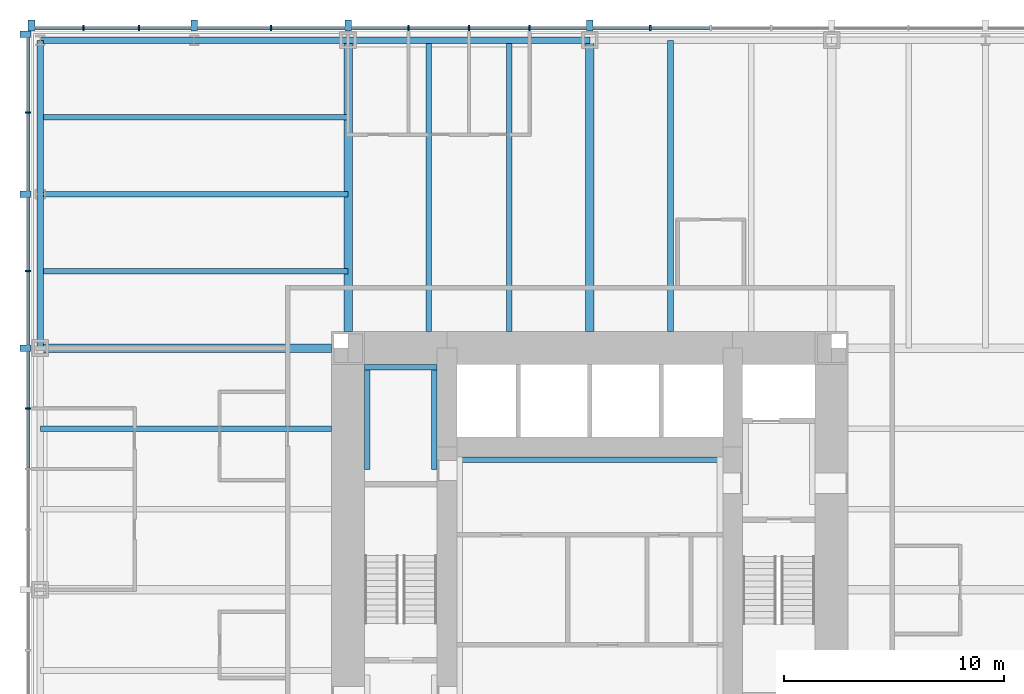
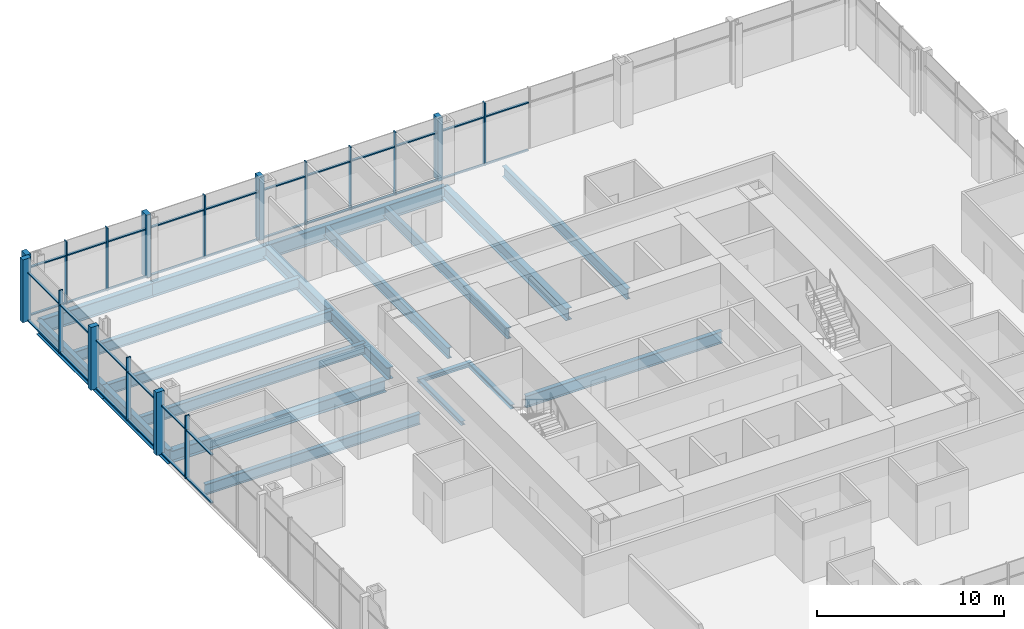
# One storey, part 5 of 12: 51 members, 19 beams, 2 elements without a shape of their own.
"""IFC4 building model written with IfcOpenShell, lengths in metres."""

from ifc_helpers import new_model, si_unit, direction, frame, origin, origin_2d, place, context, subcontext, project, spatial, rectangle, i_section, extrude, material, material_profile, profile_set, type_object, element, aggregate, save


model = new_model("IFC4")

# Units and contexts
model_context = context("Model", 3, precision=1e-05, world=origin(), true_north=direction((0.0, 1.0)))
body_context = subcontext(model_context, "Body", "Model", "MODEL_VIEW")
ifc_project = project(units=[si_unit("LENGTHUNIT", "METRE"), si_unit("AREAUNIT", "SQUARE_METRE"), si_unit("VOLUMEUNIT", "CUBIC_METRE"), si_unit("PLANEANGLEUNIT", "RADIAN"), si_unit("MASSUNIT", "GRAM", prefix="KILO")], contexts=[model_context])

# Site, building, storey
site_placement = place(None, origin())
site = spatial("IfcSite", under=ifc_project, at=site_placement, CompositionType="ELEMENT")
building_placement = place(site_placement, origin())
building = spatial("IfcBuilding", under=site, at=building_placement, Name="Trevanion Tower", CompositionType="ELEMENT")
storey_placement = place(building_placement, frame((0.0, 0.0, 40.60009765625)))
storey = spatial("IfcBuildingStorey", under=building, at=storey_placement, Name="L09", CompositionType="ELEMENT", Elevation=40.60009765625)

# Beams
ifc_material_1 = material(Name="Steel ASTM A992 Grade 50", Category="steel")
ifc_material_profile_1 = material_profile(ifc_material_1, i_section(OverallWidth=0.25390625, OverallDepth=0.700927734375, WebThickness=0.015380859375, FlangeThickness=0.02783203125, at=origin_2d()), Name="W27X129")
ifc_profile_set_1 = profile_set([ifc_material_profile_1], Name="Steel ASTM A992 Grade 50")
beam_type_1 = type_object("IfcBeamType", Name="B3 W27X129", PredefinedType="BEAM", material=ifc_profile_set_1)
for number, where, z_axis, x_axis, name in (
    (1, (3.666748046875, 11.75, -0.54052734375), (0.0, 1.0, 0.0), (-1.0, 0.0, 0.0), "B3 L09"),
    (2, (-3.666748046875, 11.75, -0.54052734375), (0.0, 1.0, 0.0), (-1.0, 0.0, 0.0), "B3 L09"),
    (3, (-7.333251953125, 11.75, -0.54052734375), (0.0, 1.0, 0.0), (-1.0, 0.0, 0.0), "B3 L09"),
    (4, (-11.75, 7.333251953125, -0.54052734375), (-1.0, 0.0, 0.0), (0.0, -1.0, 0.0), "B3 L09"),
):
    element("IfcBeam", number, at=place(storey_placement, frame(where, z_axis=z_axis, x_axis=x_axis)), inside=storey, type_object=beam_type_1, Name=name, PredefinedType="BEAM", context=body_context, shape_type="SweptSolid", body=[
        extrude(i_section(OverallWidth=0.25390625, OverallDepth=0.700927734375, WebThickness=0.015380859375, FlangeThickness=0.02783203125, at=origin_2d()), origin(), (0.0, 0.0, 1.0), 13.25),
    ])
ifc_material_2 = material(Name="Steel ASTM A992 Grade 50", Category="steel")
ifc_material_profile_2 = material_profile(ifc_material_2, i_section(OverallWidth=0.256591796875, OverallDepth=0.693359375, WebThickness=0.014404296875, FlangeThickness=0.023681640625, at=origin_2d()), Name="W27X114")
ifc_profile_set_2 = profile_set([ifc_material_profile_2], Name="Steel ASTM A992 Grade 50")
beam_type_2 = type_object("IfcBeamType", Name="B4 W27X114", PredefinedType="BEAM", material=ifc_profile_set_2)
for number, where, z_axis, x_axis, name in (
    (5, (-11.0, 14.5, -0.536865234375), (-1.0, 0.0, 0.0), (0.0, -1.0, 0.0), "B4 L09"),
    (6, (-11.0, 18.0, -0.536865234375), (-1.0, 0.0, 0.0), (0.0, -1.0, 0.0), "B4 L09"),
    (7, (-11.0, 21.5, -0.536865234375), (-1.0, 0.0, 0.0), (0.0, -1.0, 0.0), "B4 L09"),
):
    element("IfcBeam", number, at=place(storey_placement, frame(where, z_axis=z_axis, x_axis=x_axis)), inside=storey, type_object=beam_type_2, Name=name, PredefinedType="BEAM", context=body_context, shape_type="SweptSolid", body=[
        extrude(i_section(OverallWidth=0.256591796875, OverallDepth=0.693359375, WebThickness=0.014404296875, FlangeThickness=0.023681640625, at=origin_2d()), origin(), (0.0, 0.0, 1.0), 14.0),
    ])

# Curtain wall, members
ifc_material_3 = material(Name="Aluminium and glass", Category="aluminium")
curtain_wall_type = type_object("IfcCurtainWallType", Name="CW1 curtain wall", PredefinedType="USERDEFINED", material=ifc_material_3)
curtain_wall_1_placement = place(storey_placement, origin())
curtain_wall_1 = element("IfcCurtainWall", 8, at=curtain_wall_1_placement, inside=storey, type_object=curtain_wall_type, Name="CW1 L09 1", ObjectType="UNITISED CURTAIN WALL", PredefinedType="USERDEFINED")
ifc_material_4 = material(Name="Aluminium extrusion, anodised bronze", Category="aluminium")
ifc_material_profile_3 = material_profile(ifc_material_4, rectangle(XDim=0.074951171875, YDim=0.25, at=origin_2d()), Name="CW1 mullion")
ifc_profile_set_3 = profile_set([ifc_material_profile_3], Name="Aluminium extrusion, anodised bronze")
member_type_1 = type_object("IfcMemberType", Name="CW1 mullion", PredefinedType="MULLION", material=ifc_profile_set_3)
member_1_placement = place(storey_placement, frame((2.75, 25.550048828125, -0.190185546875), z_axis=(0.0, 0.0, 1.0), x_axis=(-1.0, 0.0, 0.0)))
member_1 = element("IfcMember", 9, at=member_1_placement, type_object=member_type_1, Name="CW1 mullion 8", PredefinedType="MULLION", context=body_context, shape_type="SweptSolid", body=[
    extrude(rectangle(XDim=0.074951171875, YDim=0.25, at=origin_2d()), origin(), (0.0, 0.0, 1.0), 4.10009765625),
])
member_2_placement = place(storey_placement, frame((-2.75, 25.550048828125, -0.190185546875), z_axis=(0.0, 0.0, 1.0), x_axis=(-1.0, 0.0, 0.0)))
member_2 = element("IfcMember", 10, at=member_2_placement, type_object=member_type_1, Name="CW1 mullion 10", PredefinedType="MULLION", context=body_context, shape_type="SweptSolid", body=[
    extrude(rectangle(XDim=0.074951171875, YDim=0.25, at=origin_2d()), origin(), (0.0, 0.0, 1.0), 4.10009765625),
])
member_3_placement = place(storey_placement, frame((-5.5, 25.550048828125, -0.190185546875), z_axis=(0.0, 0.0, 1.0), x_axis=(-1.0, 0.0, 0.0)))
member_3 = element("IfcMember", 11, at=member_3_placement, type_object=member_type_1, Name="CW1 mullion 11", PredefinedType="MULLION", context=body_context, shape_type="SweptSolid", body=[
    extrude(rectangle(XDim=0.074951171875, YDim=0.25, at=origin_2d()), origin(), (0.0, 0.0, 1.0), 4.10009765625),
])
member_4_placement = place(storey_placement, frame((-8.25, 25.550048828125, -0.190185546875), z_axis=(0.0, 0.0, 1.0), x_axis=(-1.0, 0.0, 0.0)))
member_4 = element("IfcMember", 12, at=member_4_placement, type_object=member_type_1, Name="CW1 mullion 12", PredefinedType="MULLION", context=body_context, shape_type="SweptSolid", body=[
    extrude(rectangle(XDim=0.074951171875, YDim=0.25, at=origin_2d()), origin(), (0.0, 0.0, 1.0), 4.10009765625),
])
member_5_placement = place(storey_placement, frame((-14.5, 25.550048828125, -0.190185546875), z_axis=(0.0, 0.0, 1.0), x_axis=(-1.0, 0.0, 0.0)))
member_5 = element("IfcMember", 13, at=member_5_placement, type_object=member_type_1, Name="CW1 mullion 14", PredefinedType="MULLION", context=body_context, shape_type="SweptSolid", body=[
    extrude(rectangle(XDim=0.074951171875, YDim=0.25, at=origin_2d()), origin(), (0.0, 0.0, 1.0), 4.10009765625),
])
member_6_placement = place(storey_placement, frame((-20.5166015625, 25.550048828125, -0.190185546875), z_axis=(0.0, 0.0, 1.0), x_axis=(-1.0, 0.0, 0.0)))
member_6 = element("IfcMember", 14, at=member_6_placement, type_object=member_type_1, Name="CW1 mullion 16", PredefinedType="MULLION", context=body_context, shape_type="SweptSolid", body=[
    extrude(rectangle(XDim=0.074951171875, YDim=0.25, at=origin_2d()), origin(), (0.0, 0.0, 1.0), 4.10009765625),
])
member_7_placement = place(storey_placement, frame((-23.033203125, 25.550048828125, -0.190185546875), z_axis=(0.0, 0.0, 1.0), x_axis=(-1.0, 0.0, 0.0)))
member_7 = element("IfcMember", 15, at=member_7_placement, type_object=member_type_1, Name="CW1 mullion 17", PredefinedType="MULLION", context=body_context, shape_type="SweptSolid", body=[
    extrude(rectangle(XDim=0.074951171875, YDim=0.25, at=origin_2d()), origin(), (0.0, 0.0, 1.0), 4.10009765625),
])

curtain_wall_2_placement = place(storey_placement, origin())
curtain_wall_2 = element("IfcCurtainWall", 16, at=curtain_wall_2_placement, inside=storey, type_object=curtain_wall_type, Name="CW1 L09 2", ObjectType="UNITISED CURTAIN WALL", PredefinedType="USERDEFINED")
member_8_placement = place(storey_placement, frame((-25.550048828125, 21.7099609375, -0.190185546875), z_axis=(0.0, 0.0, 1.0), x_axis=(0.0, -1.0, 0.0)))
member_8 = element("IfcMember", 17, at=member_8_placement, type_object=member_type_1, Name="CW1 mullion 2", PredefinedType="MULLION", context=body_context, shape_type="SweptSolid", body=[
    extrude(rectangle(XDim=0.074951171875, YDim=0.25, at=origin_2d()), origin(), (0.0, 0.0, 1.0), 4.10009765625),
])
member_9_placement = place(storey_placement, frame((-25.550048828125, 14.5, -0.190185546875), z_axis=(0.0, 0.0, 1.0), x_axis=(0.0, -1.0, 0.0)))
member_9 = element("IfcMember", 18, at=member_9_placement, type_object=member_type_1, Name="CW1 mullion 4", PredefinedType="MULLION", context=body_context, shape_type="SweptSolid", body=[
    extrude(rectangle(XDim=0.074951171875, YDim=0.25, at=origin_2d()), origin(), (0.0, 0.0, 1.0), 4.10009765625),
])
member_10_placement = place(storey_placement, frame((-25.550048828125, 8.25, -0.190185546875), z_axis=(0.0, 0.0, 1.0), x_axis=(0.0, -1.0, 0.0)))
member_10 = element("IfcMember", 19, at=member_10_placement, type_object=member_type_1, Name="CW1 mullion 6", PredefinedType="MULLION", context=body_context, shape_type="SweptSolid", body=[
    extrude(rectangle(XDim=0.074951171875, YDim=0.25, at=origin_2d()), origin(), (0.0, 0.0, 1.0), 4.10009765625),
])

# Member
ifc_material_5 = material(Name="Aluminium extrusion, anodised bronze", Category="aluminium")
ifc_material_profile_4 = material_profile(ifc_material_5, rectangle(XDim=0.300048828125, YDim=0.5, at=origin_2d()), Name="CW1 pier mullion")
ifc_profile_set_4 = profile_set([ifc_material_profile_4], Name="Aluminium extrusion, anodised bronze")
member_type_2 = type_object("IfcMemberType", Name="CW1 pier mullion", PredefinedType="MULLION", material=ifc_profile_set_4)
member_11_placement = place(storey_placement, frame((0.0, 25.675048828125, -0.190185546875), z_axis=(0.0, 0.0, 1.0), x_axis=(-1.0, 0.0, 0.0)))
member_11 = element("IfcMember", 20, at=member_11_placement, type_object=member_type_2, Name="CW1 pier mullion 9", PredefinedType="MULLION", context=body_context, shape_type="SweptSolid", body=[
    extrude(rectangle(XDim=0.300048828125, YDim=0.5, at=origin_2d()), origin(), (0.0, 0.0, 1.0), 4.10009765625),
])

member_12_placement = place(storey_placement, frame((-11.0, 25.675048828125, -0.190185546875), z_axis=(0.0, 0.0, 1.0), x_axis=(-1.0, 0.0, 0.0)))
member_12 = element("IfcMember", 21, at=member_12_placement, type_object=member_type_2, Name="CW1 pier mullion 13", PredefinedType="MULLION", context=body_context, shape_type="SweptSolid", body=[
    extrude(rectangle(XDim=0.300048828125, YDim=0.5, at=origin_2d()), origin(), (0.0, 0.0, 1.0), 4.10009765625),
])

member_13_placement = place(storey_placement, frame((-18.0, 25.675048828125, -0.190185546875), z_axis=(0.0, 0.0, 1.0), x_axis=(-1.0, 0.0, 0.0)))
member_13 = element("IfcMember", 22, at=member_13_placement, type_object=member_type_2, Name="CW1 pier mullion 15", PredefinedType="MULLION", context=body_context, shape_type="SweptSolid", body=[
    extrude(rectangle(XDim=0.300048828125, YDim=0.5, at=origin_2d()), origin(), (0.0, 0.0, 1.0), 4.10009765625),
])

member_14_placement = place(storey_placement, frame((-25.39990234375, 25.675048828125, -0.190185546875), z_axis=(0.0, 0.0, 1.0), x_axis=(-1.0, 0.0, 0.0)))
member_14 = element("IfcMember", 23, at=member_14_placement, type_object=member_type_2, Name="CW1 pier mullion 18", PredefinedType="MULLION", context=body_context, shape_type="SweptSolid", body=[
    extrude(rectangle(XDim=0.300048828125, YDim=0.5, at=origin_2d()), origin(), (0.0, 0.0, 1.0), 4.10009765625),
])

member_15_placement = place(storey_placement, frame((-25.675048828125, 25.27001953125, -0.190185546875), z_axis=(0.0, 0.0, 1.0), x_axis=(0.0, -1.0, 0.0)))
member_15 = element("IfcMember", 24, at=member_15_placement, type_object=member_type_2, Name="CW1 pier mullion 1", PredefinedType="MULLION", context=body_context, shape_type="SweptSolid", body=[
    extrude(rectangle(XDim=0.300048828125, YDim=0.5, at=origin_2d()), origin(), (0.0, 0.0, 1.0), 4.10009765625),
])

member_16_placement = place(storey_placement, frame((-25.675048828125, 18.0, -0.190185546875), z_axis=(0.0, 0.0, 1.0), x_axis=(0.0, -1.0, 0.0)))
member_16 = element("IfcMember", 25, at=member_16_placement, type_object=member_type_2, Name="CW1 pier mullion 3", PredefinedType="MULLION", context=body_context, shape_type="SweptSolid", body=[
    extrude(rectangle(XDim=0.300048828125, YDim=0.5, at=origin_2d()), origin(), (0.0, 0.0, 1.0), 4.10009765625),
])

member_17_placement = place(storey_placement, frame((-25.675048828125, 11.0, -0.190185546875), z_axis=(0.0, 0.0, 1.0), x_axis=(0.0, -1.0, 0.0)))
member_17 = element("IfcMember", 26, at=member_17_placement, type_object=member_type_2, Name="CW1 pier mullion 5", PredefinedType="MULLION", context=body_context, shape_type="SweptSolid", body=[
    extrude(rectangle(XDim=0.300048828125, YDim=0.5, at=origin_2d()), origin(), (0.0, 0.0, 1.0), 4.10009765625),
])

ifc_material_6 = material(Name="Aluminium extrusion, anodised bronze", Category="aluminium")
ifc_material_profile_5 = material_profile(ifc_material_6, rectangle(XDim=0.14990234375, YDim=0.074951171875, at=origin_2d()), Name="CW1 transom")
ifc_profile_set_5 = profile_set([ifc_material_profile_5], Name="Aluminium extrusion, anodised bronze")
member_type_3 = type_object("IfcMemberType", Name="CW1 transom", PredefinedType="USERDEFINED", material=ifc_profile_set_5)
member_18_placement = place(storey_placement, frame((5.46240234375, 25.550048828125, -0.152587890625), z_axis=(-1.0, 0.0, 0.0), x_axis=(0.0, -1.0, 0.0)))
member_18 = element("IfcMember", 27, at=member_18_placement, type_object=member_type_3, Name="CW1 transom 7.1", ObjectType="TRANSOM", PredefinedType="USERDEFINED", context=body_context, shape_type="SweptSolid", body=[
    extrude(rectangle(XDim=0.14990234375, YDim=0.074951171875, at=origin_2d()), origin(), (0.0, 0.0, 1.0), 2.6748046875),
])

member_19_placement = place(storey_placement, frame((5.46240234375, 25.550048828125, 2.9599609375), z_axis=(-1.0, 0.0, 0.0), x_axis=(0.0, -1.0, 0.0)))
member_19 = element("IfcMember", 28, at=member_19_placement, type_object=member_type_3, Name="CW1 transom 7.2", ObjectType="TRANSOM", PredefinedType="USERDEFINED", context=body_context, shape_type="SweptSolid", body=[
    extrude(rectangle(XDim=0.14990234375, YDim=0.074951171875, at=origin_2d()), origin(), (0.0, 0.0, 1.0), 2.6748046875),
])

member_20_placement = place(storey_placement, frame((2.71240234375, 25.550048828125, -0.152587890625), z_axis=(-1.0, 0.0, 0.0), x_axis=(0.0, -1.0, 0.0)))
member_20 = element("IfcMember", 29, at=member_20_placement, type_object=member_type_3, Name="CW1 transom 8.1", ObjectType="TRANSOM", PredefinedType="USERDEFINED", context=body_context, shape_type="SweptSolid", body=[
    extrude(rectangle(XDim=0.14990234375, YDim=0.074951171875, at=origin_2d()), origin(), (0.0, 0.0, 1.0), 2.5625),
])

member_21_placement = place(storey_placement, frame((2.71240234375, 25.550048828125, 2.9599609375), z_axis=(-1.0, 0.0, 0.0), x_axis=(0.0, -1.0, 0.0)))
member_21 = element("IfcMember", 30, at=member_21_placement, type_object=member_type_3, Name="CW1 transom 8.2", ObjectType="TRANSOM", PredefinedType="USERDEFINED", context=body_context, shape_type="SweptSolid", body=[
    extrude(rectangle(XDim=0.14990234375, YDim=0.074951171875, at=origin_2d()), origin(), (0.0, 0.0, 1.0), 2.5625),
])

member_22_placement = place(storey_placement, frame((-0.14990234375, 25.550048828125, -0.152587890625), z_axis=(-1.0, 0.0, 0.0), x_axis=(0.0, -1.0, 0.0)))
member_22 = element("IfcMember", 31, at=member_22_placement, type_object=member_type_3, Name="CW1 transom 9.1", ObjectType="TRANSOM", PredefinedType="USERDEFINED", context=body_context, shape_type="SweptSolid", body=[
    extrude(rectangle(XDim=0.14990234375, YDim=0.074951171875, at=origin_2d()), origin(), (0.0, 0.0, 1.0), 2.5625),
])

member_23_placement = place(storey_placement, frame((-0.14990234375, 25.550048828125, 2.9599609375), z_axis=(-1.0, 0.0, 0.0), x_axis=(0.0, -1.0, 0.0)))
member_23 = element("IfcMember", 32, at=member_23_placement, type_object=member_type_3, Name="CW1 transom 9.2", ObjectType="TRANSOM", PredefinedType="USERDEFINED", context=body_context, shape_type="SweptSolid", body=[
    extrude(rectangle(XDim=0.14990234375, YDim=0.074951171875, at=origin_2d()), origin(), (0.0, 0.0, 1.0), 2.5625),
])

member_24_placement = place(storey_placement, frame((-2.78759765625, 25.550048828125, -0.152587890625), z_axis=(-1.0, 0.0, 0.0), x_axis=(0.0, -1.0, 0.0)))
member_24 = element("IfcMember", 33, at=member_24_placement, type_object=member_type_3, Name="CW1 transom 10.1", ObjectType="TRANSOM", PredefinedType="USERDEFINED", context=body_context, shape_type="SweptSolid", body=[
    extrude(rectangle(XDim=0.14990234375, YDim=0.074951171875, at=origin_2d()), origin(), (0.0, 0.0, 1.0), 2.6748046875),
])

member_25_placement = place(storey_placement, frame((-2.78759765625, 25.550048828125, 2.9599609375), z_axis=(-1.0, 0.0, 0.0), x_axis=(0.0, -1.0, 0.0)))
member_25 = element("IfcMember", 34, at=member_25_placement, type_object=member_type_3, Name="CW1 transom 10.2", ObjectType="TRANSOM", PredefinedType="USERDEFINED", context=body_context, shape_type="SweptSolid", body=[
    extrude(rectangle(XDim=0.14990234375, YDim=0.074951171875, at=origin_2d()), origin(), (0.0, 0.0, 1.0), 2.6748046875),
])

member_26_placement = place(storey_placement, frame((-5.53759765625, 25.550048828125, -0.152587890625), z_axis=(-1.0, 0.0, 0.0), x_axis=(0.0, -1.0, 0.0)))
member_26 = element("IfcMember", 35, at=member_26_placement, type_object=member_type_3, Name="CW1 transom 11.1", ObjectType="TRANSOM", PredefinedType="USERDEFINED", context=body_context, shape_type="SweptSolid", body=[
    extrude(rectangle(XDim=0.14990234375, YDim=0.074951171875, at=origin_2d()), origin(), (0.0, 0.0, 1.0), 2.6748046875),
])

member_27_placement = place(storey_placement, frame((-5.53759765625, 25.550048828125, 2.9599609375), z_axis=(-1.0, 0.0, 0.0), x_axis=(0.0, -1.0, 0.0)))
member_27 = element("IfcMember", 36, at=member_27_placement, type_object=member_type_3, Name="CW1 transom 11.2", ObjectType="TRANSOM", PredefinedType="USERDEFINED", context=body_context, shape_type="SweptSolid", body=[
    extrude(rectangle(XDim=0.14990234375, YDim=0.074951171875, at=origin_2d()), origin(), (0.0, 0.0, 1.0), 2.6748046875),
])

member_28_placement = place(storey_placement, frame((-8.28759765625, 25.550048828125, -0.152587890625), z_axis=(-1.0, 0.0, 0.0), x_axis=(0.0, -1.0, 0.0)))
member_28 = element("IfcMember", 37, at=member_28_placement, type_object=member_type_3, Name="CW1 transom 12.1", ObjectType="TRANSOM", PredefinedType="USERDEFINED", context=body_context, shape_type="SweptSolid", body=[
    extrude(rectangle(XDim=0.14990234375, YDim=0.074951171875, at=origin_2d()), origin(), (0.0, 0.0, 1.0), 2.5625),
])

member_29_placement = place(storey_placement, frame((-8.28759765625, 25.550048828125, 2.9599609375), z_axis=(-1.0, 0.0, 0.0), x_axis=(0.0, -1.0, 0.0)))
member_29 = element("IfcMember", 38, at=member_29_placement, type_object=member_type_3, Name="CW1 transom 12.2", ObjectType="TRANSOM", PredefinedType="USERDEFINED", context=body_context, shape_type="SweptSolid", body=[
    extrude(rectangle(XDim=0.14990234375, YDim=0.074951171875, at=origin_2d()), origin(), (0.0, 0.0, 1.0), 2.5625),
])

member_30_placement = place(storey_placement, frame((-11.14990234375, 25.550048828125, -0.152587890625), z_axis=(-1.0, 0.0, 0.0), x_axis=(0.0, -1.0, 0.0)))
member_30 = element("IfcMember", 39, at=member_30_placement, type_object=member_type_3, Name="CW1 transom 13.1", ObjectType="TRANSOM", PredefinedType="USERDEFINED", context=body_context, shape_type="SweptSolid", body=[
    extrude(rectangle(XDim=0.14990234375, YDim=0.074951171875, at=origin_2d()), origin(), (0.0, 0.0, 1.0), 3.3125),
])

member_31_placement = place(storey_placement, frame((-11.14990234375, 25.550048828125, 2.9599609375), z_axis=(-1.0, 0.0, 0.0), x_axis=(0.0, -1.0, 0.0)))
member_31 = element("IfcMember", 40, at=member_31_placement, type_object=member_type_3, Name="CW1 transom 13.2", ObjectType="TRANSOM", PredefinedType="USERDEFINED", context=body_context, shape_type="SweptSolid", body=[
    extrude(rectangle(XDim=0.14990234375, YDim=0.074951171875, at=origin_2d()), origin(), (0.0, 0.0, 1.0), 3.3125),
])

member_32_placement = place(storey_placement, frame((-14.53759765625, 25.550048828125, -0.152587890625), z_axis=(-1.0, 0.0, 0.0), x_axis=(0.0, -1.0, 0.0)))
member_32 = element("IfcMember", 41, at=member_32_placement, type_object=member_type_3, Name="CW1 transom 14.1", ObjectType="TRANSOM", PredefinedType="USERDEFINED", context=body_context, shape_type="SweptSolid", body=[
    extrude(rectangle(XDim=0.14990234375, YDim=0.074951171875, at=origin_2d()), origin(), (0.0, 0.0, 1.0), 3.3125),
])

member_33_placement = place(storey_placement, frame((-14.53759765625, 25.550048828125, 2.9599609375), z_axis=(-1.0, 0.0, 0.0), x_axis=(0.0, -1.0, 0.0)))
member_33 = element("IfcMember", 42, at=member_33_placement, type_object=member_type_3, Name="CW1 transom 14.2", ObjectType="TRANSOM", PredefinedType="USERDEFINED", context=body_context, shape_type="SweptSolid", body=[
    extrude(rectangle(XDim=0.14990234375, YDim=0.074951171875, at=origin_2d()), origin(), (0.0, 0.0, 1.0), 3.3125),
])

member_34_placement = place(storey_placement, frame((-18.14990234375, 25.550048828125, -0.152587890625), z_axis=(-1.0, 0.0, 0.0), x_axis=(0.0, -1.0, 0.0)))
member_34 = element("IfcMember", 43, at=member_34_placement, type_object=member_type_3, Name="CW1 transom 15.1", ObjectType="TRANSOM", PredefinedType="USERDEFINED", context=body_context, shape_type="SweptSolid", body=[
    extrude(rectangle(XDim=0.14990234375, YDim=0.074951171875, at=origin_2d()), origin(), (0.0, 0.0, 1.0), 2.329345703125),
])

member_35_placement = place(storey_placement, frame((-18.14990234375, 25.550048828125, 2.9599609375), z_axis=(-1.0, 0.0, 0.0), x_axis=(0.0, -1.0, 0.0)))
member_35 = element("IfcMember", 44, at=member_35_placement, type_object=member_type_3, Name="CW1 transom 15.2", ObjectType="TRANSOM", PredefinedType="USERDEFINED", context=body_context, shape_type="SweptSolid", body=[
    extrude(rectangle(XDim=0.14990234375, YDim=0.074951171875, at=origin_2d()), origin(), (0.0, 0.0, 1.0), 2.329345703125),
])

member_36_placement = place(storey_placement, frame((-20.55419921875, 25.550048828125, -0.152587890625), z_axis=(-1.0, 0.0, 0.0), x_axis=(0.0, -1.0, 0.0)))
member_36 = element("IfcMember", 45, at=member_36_placement, type_object=member_type_3, Name="CW1 transom 16.1", ObjectType="TRANSOM", PredefinedType="USERDEFINED", context=body_context, shape_type="SweptSolid", body=[
    extrude(rectangle(XDim=0.14990234375, YDim=0.074951171875, at=origin_2d()), origin(), (0.0, 0.0, 1.0), 2.441650390625),
])

member_37_placement = place(storey_placement, frame((-20.55419921875, 25.550048828125, 2.9599609375), z_axis=(-1.0, 0.0, 0.0), x_axis=(0.0, -1.0, 0.0)))
member_37 = element("IfcMember", 46, at=member_37_placement, type_object=member_type_3, Name="CW1 transom 16.2", ObjectType="TRANSOM", PredefinedType="USERDEFINED", context=body_context, shape_type="SweptSolid", body=[
    extrude(rectangle(XDim=0.14990234375, YDim=0.074951171875, at=origin_2d()), origin(), (0.0, 0.0, 1.0), 2.441650390625),
])

member_38_placement = place(storey_placement, frame((-23.07080078125, 25.550048828125, -0.152587890625), z_axis=(-1.0, 0.0, 0.0), x_axis=(0.0, -1.0, 0.0)))
member_38 = element("IfcMember", 47, at=member_38_placement, type_object=member_type_3, Name="CW1 transom 17.1", ObjectType="TRANSOM", PredefinedType="USERDEFINED", context=body_context, shape_type="SweptSolid", body=[
    extrude(rectangle(XDim=0.14990234375, YDim=0.074951171875, at=origin_2d()), origin(), (0.0, 0.0, 1.0), 2.17919921875),
])

member_39_placement = place(storey_placement, frame((-23.07080078125, 25.550048828125, 2.9599609375), z_axis=(-1.0, 0.0, 0.0), x_axis=(0.0, -1.0, 0.0)))
member_39 = element("IfcMember", 48, at=member_39_placement, type_object=member_type_3, Name="CW1 transom 17.2", ObjectType="TRANSOM", PredefinedType="USERDEFINED", context=body_context, shape_type="SweptSolid", body=[
    extrude(rectangle(XDim=0.14990234375, YDim=0.074951171875, at=origin_2d()), origin(), (0.0, 0.0, 1.0), 2.17919921875),
])

aggregate(curtain_wall_1, [member_1, member_11, member_2, member_3, member_4, member_12, member_5, member_13, member_6, member_7, member_14, member_18, member_19, member_20, member_21, member_22, member_23, member_24, member_25, member_26, member_27, member_28, member_29, member_30, member_31, member_32, member_33, member_34, member_35, member_36, member_37, member_38, member_39])

member_40_placement = place(storey_placement, frame((-25.550048828125, 25.1201171875, -0.152587890625), z_axis=(0.0, -1.0, 0.0), x_axis=(1.0, 0.0, 0.0)))
member_40 = element("IfcMember", 49, at=member_40_placement, type_object=member_type_3, Name="CW1 transom 1.1", ObjectType="TRANSOM", PredefinedType="USERDEFINED", context=body_context, shape_type="SweptSolid", body=[
    extrude(rectangle(XDim=0.14990234375, YDim=0.074951171875, at=origin_2d()), origin(), (0.0, 0.0, 1.0), 3.37255859375),
])

member_41_placement = place(storey_placement, frame((-25.550048828125, 25.1201171875, 2.9599609375), z_axis=(0.0, -1.0, 0.0), x_axis=(1.0, 0.0, 0.0)))
member_41 = element("IfcMember", 50, at=member_41_placement, type_object=member_type_3, Name="CW1 transom 1.2", ObjectType="TRANSOM", PredefinedType="USERDEFINED", context=body_context, shape_type="SweptSolid", body=[
    extrude(rectangle(XDim=0.14990234375, YDim=0.074951171875, at=origin_2d()), origin(), (0.0, 0.0, 1.0), 3.37255859375),
])

member_42_placement = place(storey_placement, frame((-25.550048828125, 21.672607421875, -0.152587890625), z_axis=(0.0, -1.0, 0.0), x_axis=(1.0, 0.0, 0.0)))
member_42 = element("IfcMember", 51, at=member_42_placement, type_object=member_type_3, Name="CW1 transom 2.1", ObjectType="TRANSOM", PredefinedType="USERDEFINED", context=body_context, shape_type="SweptSolid", body=[
    extrude(rectangle(XDim=0.14990234375, YDim=0.074951171875, at=origin_2d()), origin(), (0.0, 0.0, 1.0), 3.522705078125),
])

member_43_placement = place(storey_placement, frame((-25.550048828125, 21.672607421875, 2.9599609375), z_axis=(0.0, -1.0, 0.0), x_axis=(1.0, 0.0, 0.0)))
member_43 = element("IfcMember", 52, at=member_43_placement, type_object=member_type_3, Name="CW1 transom 2.2", ObjectType="TRANSOM", PredefinedType="USERDEFINED", context=body_context, shape_type="SweptSolid", body=[
    extrude(rectangle(XDim=0.14990234375, YDim=0.074951171875, at=origin_2d()), origin(), (0.0, 0.0, 1.0), 3.522705078125),
])

member_44_placement = place(storey_placement, frame((-25.550048828125, 17.85009765625, -0.152587890625), z_axis=(0.0, -1.0, 0.0), x_axis=(1.0, 0.0, 0.0)))
member_44 = element("IfcMember", 53, at=member_44_placement, type_object=member_type_3, Name="CW1 transom 3.1", ObjectType="TRANSOM", PredefinedType="USERDEFINED", context=body_context, shape_type="SweptSolid", body=[
    extrude(rectangle(XDim=0.14990234375, YDim=0.074951171875, at=origin_2d()), origin(), (0.0, 0.0, 1.0), 3.3125),
])

member_45_placement = place(storey_placement, frame((-25.550048828125, 17.85009765625, 2.9599609375), z_axis=(0.0, -1.0, 0.0), x_axis=(1.0, 0.0, 0.0)))
member_45 = element("IfcMember", 54, at=member_45_placement, type_object=member_type_3, Name="CW1 transom 3.2", ObjectType="TRANSOM", PredefinedType="USERDEFINED", context=body_context, shape_type="SweptSolid", body=[
    extrude(rectangle(XDim=0.14990234375, YDim=0.074951171875, at=origin_2d()), origin(), (0.0, 0.0, 1.0), 3.3125),
])

member_46_placement = place(storey_placement, frame((-25.550048828125, 14.46240234375, -0.152587890625), z_axis=(0.0, -1.0, 0.0), x_axis=(1.0, 0.0, 0.0)))
member_46 = element("IfcMember", 55, at=member_46_placement, type_object=member_type_3, Name="CW1 transom 4.1", ObjectType="TRANSOM", PredefinedType="USERDEFINED", context=body_context, shape_type="SweptSolid", body=[
    extrude(rectangle(XDim=0.14990234375, YDim=0.074951171875, at=origin_2d()), origin(), (0.0, 0.0, 1.0), 3.3125),
])

member_47_placement = place(storey_placement, frame((-25.550048828125, 14.46240234375, 2.9599609375), z_axis=(0.0, -1.0, 0.0), x_axis=(1.0, 0.0, 0.0)))
member_47 = element("IfcMember", 56, at=member_47_placement, type_object=member_type_3, Name="CW1 transom 4.2", ObjectType="TRANSOM", PredefinedType="USERDEFINED", context=body_context, shape_type="SweptSolid", body=[
    extrude(rectangle(XDim=0.14990234375, YDim=0.074951171875, at=origin_2d()), origin(), (0.0, 0.0, 1.0), 3.3125),
])

member_48_placement = place(storey_placement, frame((-25.550048828125, 10.85009765625, -0.152587890625), z_axis=(0.0, -1.0, 0.0), x_axis=(1.0, 0.0, 0.0)))
member_48 = element("IfcMember", 57, at=member_48_placement, type_object=member_type_3, Name="CW1 transom 5.1", ObjectType="TRANSOM", PredefinedType="USERDEFINED", context=body_context, shape_type="SweptSolid", body=[
    extrude(rectangle(XDim=0.14990234375, YDim=0.074951171875, at=origin_2d()), origin(), (0.0, 0.0, 1.0), 2.5625),
])

member_49_placement = place(storey_placement, frame((-25.550048828125, 10.85009765625, 2.9599609375), z_axis=(0.0, -1.0, 0.0), x_axis=(1.0, 0.0, 0.0)))
member_49 = element("IfcMember", 58, at=member_49_placement, type_object=member_type_3, Name="CW1 transom 5.2", ObjectType="TRANSOM", PredefinedType="USERDEFINED", context=body_context, shape_type="SweptSolid", body=[
    extrude(rectangle(XDim=0.14990234375, YDim=0.074951171875, at=origin_2d()), origin(), (0.0, 0.0, 1.0), 2.5625),
])

member_50_placement = place(storey_placement, frame((-25.550048828125, 8.21240234375, -0.152587890625), z_axis=(0.0, -1.0, 0.0), x_axis=(1.0, 0.0, 0.0)))
member_50 = element("IfcMember", 59, at=member_50_placement, type_object=member_type_3, Name="CW1 transom 6.1", ObjectType="TRANSOM", PredefinedType="USERDEFINED", context=body_context, shape_type="SweptSolid", body=[
    extrude(rectangle(XDim=0.14990234375, YDim=0.074951171875, at=origin_2d()), origin(), (0.0, 0.0, 1.0), 2.6748046875),
])

member_51_placement = place(storey_placement, frame((-25.550048828125, 8.21240234375, 2.9599609375), z_axis=(0.0, -1.0, 0.0), x_axis=(1.0, 0.0, 0.0)))
member_51 = element("IfcMember", 60, at=member_51_placement, type_object=member_type_3, Name="CW1 transom 6.2", ObjectType="TRANSOM", PredefinedType="USERDEFINED", context=body_context, shape_type="SweptSolid", body=[
    extrude(rectangle(XDim=0.14990234375, YDim=0.074951171875, at=origin_2d()), origin(), (0.0, 0.0, 1.0), 2.6748046875),
])

aggregate(curtain_wall_2, [member_15, member_8, member_16, member_9, member_17, member_10, member_40, member_41, member_42, member_43, member_44, member_45, member_46, member_47, member_48, member_49, member_50, member_51])

# Beams
ifc_material_7 = material(Name="Steel ASTM A992 Grade 50", Category="steel")
ifc_material_profile_6 = material_profile(ifc_material_7, i_section(OverallWidth=0.381103515625, OverallDepth=0.77978515625, WebThickness=0.01806640625, FlangeThickness=0.0302734375, at=origin_2d()), Name="W30X191")
ifc_profile_set_6 = profile_set([ifc_material_profile_6], Name="Steel ASTM A992 Grade 50")
beam_type_3 = type_object("IfcBeamType", Name="G2 W30X191", PredefinedType="BEAM", material=ifc_profile_set_6)
for number, where, z_axis, x_axis, name in (
    (61, (0.0, 11.75, -0.580078125), (0.0, 1.0, 0.0), (-1.0, 0.0, 0.0), "G2 L09"),
    (62, (-11.0, 11.75, -0.580078125), (0.0, 1.0, 0.0), (-1.0, 0.0, 0.0), "G2 L09"),
    (63, (-11.75, 11.0, -0.580078125), (-1.0, 0.0, 0.0), (0.0, -1.0, 0.0), "G2 L09"),
):
    element("IfcBeam", number, at=place(storey_placement, frame(where, z_axis=z_axis, x_axis=x_axis)), inside=storey, type_object=beam_type_3, Name=name, PredefinedType="BEAM", context=body_context, shape_type="SweptSolid", body=[
        extrude(i_section(OverallWidth=0.381103515625, OverallDepth=0.77978515625, WebThickness=0.01806640625, FlangeThickness=0.0302734375, at=origin_2d()), origin(), (0.0, 0.0, 1.0), 13.25),
    ])
ifc_material_8 = material(Name="Steel ASTM A992 Grade 50", Category="steel")
ifc_material_profile_7 = material_profile(ifc_material_8, i_section(OverallWidth=0.256591796875, OverallDepth=0.26416015625, WebThickness=0.011962890625, FlangeThickness=0.01953125, at=origin_2d()), Name="W10X68")
ifc_profile_set_7 = profile_set([ifc_material_profile_7], Name="Steel ASTM A992 Grade 50")
beam_type_4 = type_object("IfcBeamType", Name="LB1 W10X68", PredefinedType="BEAM", material=ifc_profile_set_7)
for number, where, z_axis, x_axis, name in (
    (64, (-10.12158203125, 5.47509765625, -0.332275390625), (0.0, 1.0, 0.0), (-1.0, 0.0, 0.0), "LB1 L09"),
    (65, (-7.078369140625, 5.47509765625, -0.332275390625), (0.0, 1.0, 0.0), (-1.0, 0.0, 0.0), "LB1 L09"),
):
    element("IfcBeam", number, at=place(storey_placement, frame(where, z_axis=z_axis, x_axis=x_axis)), inside=storey, type_object=beam_type_4, Name=name, PredefinedType="BEAM", context=body_context, shape_type="SweptSolid", body=[
        extrude(i_section(OverallWidth=0.256591796875, OverallDepth=0.26416015625, WebThickness=0.011962890625, FlangeThickness=0.01953125, at=origin_2d()), origin(), (0.0, 0.0, 1.0), 4.77490234375),
    ])
beam_1_placement = place(storey_placement, frame((-10.25, 10.12158203125, -0.332275390625), z_axis=(1.0, 0.0, 0.0), x_axis=(0.0, 1.0, 0.0)))
element("IfcBeam", 66, at=beam_1_placement, inside=storey, type_object=beam_type_4, Name="LB1 L09", PredefinedType="BEAM", context=body_context, shape_type="SweptSolid", body=[
    extrude(i_section(OverallWidth=0.256591796875, OverallDepth=0.26416015625, WebThickness=0.011962890625, FlangeThickness=0.01953125, at=origin_2d()), origin(), (0.0, 0.0, 1.0), 3.300048828125),
])
ifc_material_9 = material(Name="Steel ASTM A992 Grade 50", Category="steel")
ifc_material_profile_8 = material_profile(ifc_material_9, i_section(OverallWidth=0.2666015625, OverallDepth=0.76953125, WebThickness=0.015625, FlangeThickness=0.025390625, at=origin_2d()), Name="W30X132")
ifc_profile_set_8 = profile_set([ifc_material_profile_8], Name="Steel ASTM A992 Grade 50")
beam_type_5 = type_object("IfcBeamType", Name="LB3 W30X132", PredefinedType="BEAM", material=ifc_profile_set_8)
beam_2_placement = place(storey_placement, frame((-6.050048828125, 5.91650390625, -0.5849609375), z_axis=(1.0, 0.0, 0.0), x_axis=(0.0, 1.0, 0.0)))
element("IfcBeam", 67, at=beam_2_placement, inside=storey, type_object=beam_type_5, Name="LB3 L09", PredefinedType="BEAM", context=body_context, shape_type="SweptSolid", body=[
    extrude(i_section(OverallWidth=0.2666015625, OverallDepth=0.76953125, WebThickness=0.015625, FlangeThickness=0.025390625, at=origin_2d()), origin(), (0.0, 0.0, 1.0), 12.10009765625),
])
ifc_material_10 = material(Name="Steel ASTM A992 Grade 50", Category="steel")
ifc_material_profile_9 = material_profile(ifc_material_10, i_section(OverallWidth=0.307373046875, OverallDepth=0.927001953125, WebThickness=0.01953125, FlangeThickness=0.031982421875, at=origin_2d()), Name="W36X194")
ifc_profile_set_9 = profile_set([ifc_material_profile_9], Name="Steel ASTM A992 Grade 50")
beam_type_6 = type_object("IfcBeamType", Name="SB2 W36X194", PredefinedType="SPANDREL", material=ifc_profile_set_9)
beam_3_placement = place(storey_placement, frame((0.0, 25.0, -0.653564453125), z_axis=(-1.0, 0.0, 0.0), x_axis=(0.0, -1.0, 0.0)))
element("IfcBeam", 68, at=beam_3_placement, inside=storey, type_object=beam_type_6, Name="SB2 L09", PredefinedType="SPANDREL", context=body_context, shape_type="SweptSolid", body=[
    extrude(i_section(OverallWidth=0.307373046875, OverallDepth=0.927001953125, WebThickness=0.01953125, FlangeThickness=0.031982421875, at=origin_2d()), origin(), (0.0, 0.0, 1.0), 11.0),
])
for number, where, z_axis, x_axis, name in (
    (69, (-11.0, 25.0, -0.653564453125), (-1.0, 0.0, 0.0), (0.0, -1.0, 0.0), "SB2 L09"),
    (70, (-18.0, 25.0, -0.653564453125), (-1.0, 0.0, 0.0), (0.0, -1.0, 0.0), "SB2 L09"),
    (71, (-25.0, 25.0, -0.653564453125), (0.0, -1.0, 0.0), (1.0, 0.0, 0.0), "SB2 L09"),
    (72, (-25.0, 18.0, -0.653564453125), (0.0, -1.0, 0.0), (1.0, 0.0, 0.0), "SB2 L09"),
):
    element("IfcBeam", number, at=place(storey_placement, frame(where, z_axis=z_axis, x_axis=x_axis)), inside=storey, type_object=beam_type_6, Name=name, PredefinedType="SPANDREL", context=body_context, shape_type="SweptSolid", body=[
        extrude(i_section(OverallWidth=0.307373046875, OverallDepth=0.927001953125, WebThickness=0.01953125, FlangeThickness=0.031982421875, at=origin_2d()), origin(), (0.0, 0.0, 1.0), 7.0),
    ])

save(model, "model.ifc")
